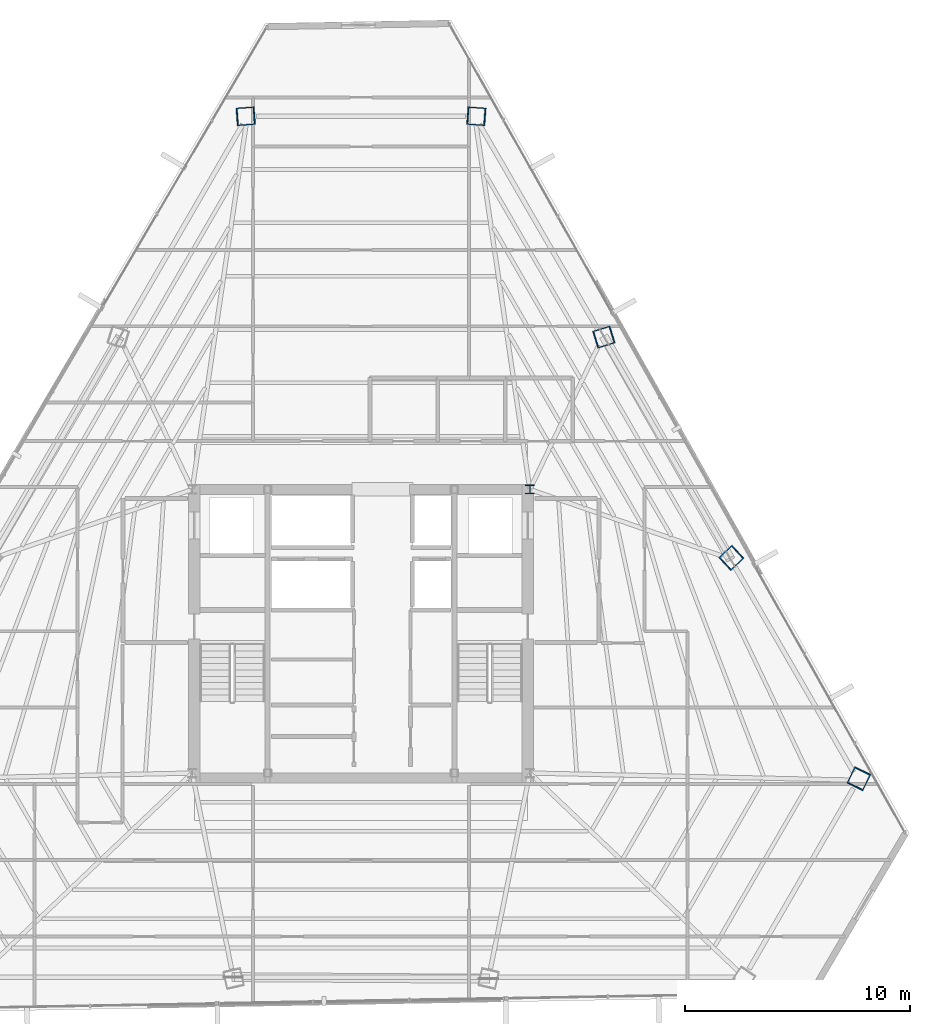
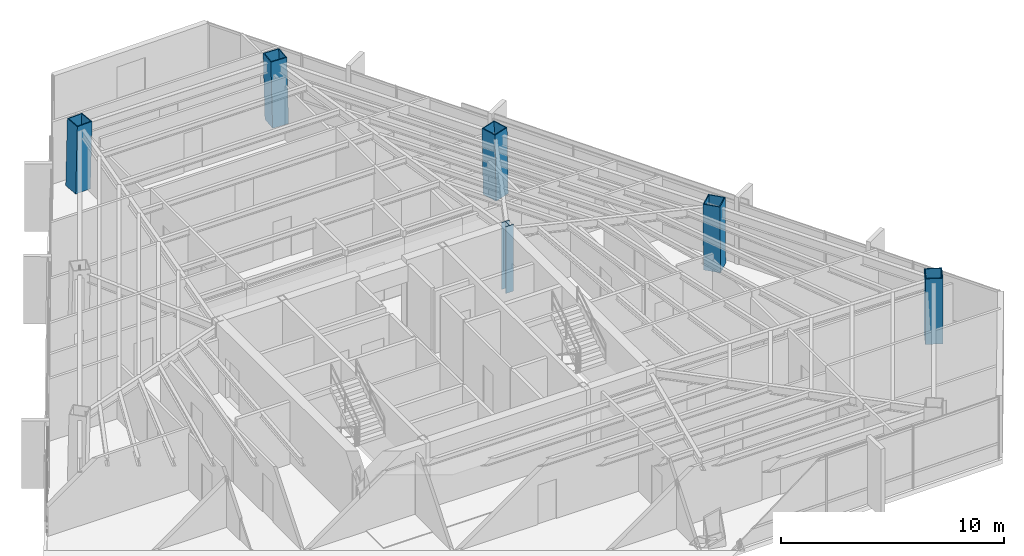
# One storey, part 2 of 42: 6 columns.
"""IFC4 building model written with IfcOpenShell, lengths in metres."""

from ifc_helpers import new_model, si_unit, direction, frame, origin, origin_2d, place, context, subcontext, project, spatial, hollow_rectangle, i_section, extrude, source, transform, mapped, material, material_profile, profile_set, type_object, type_shapes, element, save


model = new_model("IFC4")

# Units and contexts
model_context = context("Model", 3, precision=1e-05, world=origin(), true_north=direction((0.0, 1.0)))
body_context = subcontext(model_context, "Body", "Model", "MODEL_VIEW")
ifc_project = project(units=[si_unit("LENGTHUNIT", "METRE"), si_unit("AREAUNIT", "SQUARE_METRE"), si_unit("VOLUMEUNIT", "CUBIC_METRE"), si_unit("PLANEANGLEUNIT", "RADIAN"), si_unit("MASSUNIT", "GRAM", prefix="KILO")], contexts=[model_context])

# Site, building, storey
site_placement = place(None, origin())
site = spatial("IfcSite", under=ifc_project, at=site_placement, CompositionType="ELEMENT")
building_placement = place(site_placement, origin())
building = spatial("IfcBuilding", under=site, at=building_placement, Name="Caelisora Broadcast Tower", CompositionType="ELEMENT")
storey_placement = place(building_placement, frame((0.0, 0.0, 202.300048828125)))
storey = spatial("IfcBuildingStorey", under=building, at=storey_placement, Name="L53", CompositionType="ELEMENT", Elevation=202.300048828125)

# Columns
ifc_material_1 = material(Name="Steel Grade 350 (AS/NZS 3679.2)", Category="steel")
ifc_material_profile_1 = material_profile(ifc_material_1, i_section(OverallWidth=0.39990234375, OverallDepth=0.39990234375, WebThickness=0.02001953125, FlangeThickness=0.031982421875, at=origin_2d()), Name="Steel Grade 350 (AS/NZS 3679.2)")
ifc_profile_set_1 = profile_set([ifc_material_profile_1], Name="Steel Grade 350 (AS/NZS 3679.2)")
column_type_1 = type_object("IfcColumnType", Name="CC02", PredefinedType="COLUMN", material=ifc_profile_set_1)
shared_shape_1 = source(origin(), body_context, "Body", "SweptSolid", [
    extrude(i_section(OverallWidth=0.39990234375, OverallDepth=0.39990234375, WebThickness=0.02001953125, FlangeThickness=0.031982421875, at=origin_2d()), origin(), (0.0, 0.0, 1.0), 3.64990234375),
])
type_shapes(column_type_1, [shared_shape_1])
column_placement = place(storey_placement, frame((45.5, 30.0, 0.0), z_axis=(0.0, 0.0, 1.0), x_axis=(1.0, 0.0, 0.0)))
element("IfcColumn", 1, at=column_placement, inside=storey, type_object=column_type_1, Name="L53 column CC02", PredefinedType="COLUMN", context=body_context, shape_type="MappedRepresentation", body=[
    mapped(shared_shape_1, transform((0.0, 0.0, 0.0), scale=1.0)),
])
ifc_material_2 = material(Name="Steel Grade 350 L15 (AS/NZS 3678)", Category="steel")
ifc_material_profile_2 = material_profile(ifc_material_2, hollow_rectangle(XDim=0.800048828125, YDim=0.800048828125, WallThickness=0.044921875, at=origin_2d()), Name="Steel Grade 350 L15 (AS/NZS 3678)")
ifc_profile_set_2 = profile_set([ifc_material_profile_2], Name="Steel Grade 350 L15 (AS/NZS 3678)")
column_type_2 = type_object("IfcColumnType", Name="MC05", PredefinedType="COLUMN", material=ifc_profile_set_2)
shared_shape_2 = source(origin(), body_context, "Body", "SweptSolid", [
    extrude(hollow_rectangle(XDim=0.800048828125, YDim=0.800048828125, WallThickness=0.044921875, at=origin_2d()), origin(), (0.0, 0.0, 1.0), 3.65087890625),
])
for number, where, z_axis, x_axis, name in (
    (2, (43.13818359375, 46.57958984375, 0.0), (-0.023872756997, 0.001738632162, 0.999713493273), (-0.07263675076, -0.997358462359, 0.0), "L53 column MC05"),
    (3, (32.86181640625, 46.57958984375, 0.0), (0.023872756997, 0.001738632162, 0.999713493273), (-0.07263675076, 0.997358462359, 0.0), "L53 column MC05"),
    (4, (60.12353515625, 17.16015625, 0.0), (-0.010431795422, -0.021532295679, 0.999713727968), (0.899947055326, -0.435999194506, 0.0), "L53 column MC05"),
):
    element("IfcColumn", number, at=place(storey_placement, frame(where, z_axis=z_axis, x_axis=x_axis)), inside=storey, type_object=column_type_2, Name=name, PredefinedType="COLUMN", context=body_context, shape_type="MappedRepresentation", body=[
        mapped(shared_shape_2, transform((0.0, 0.0, 0.0), scale=1.0)),
    ])
shared_shape_3 = source(origin(), body_context, "Body", "SweptSolid", [
    extrude(hollow_rectangle(XDim=0.800048828125, YDim=0.800048828125, WallThickness=0.044921875, at=origin_2d()), origin(), (0.0, 0.0, 1.0), 3.650634765625),
])
type_shapes(column_type_2, [shared_shape_2, shared_shape_3])
for number, where, z_axis, x_axis, name in (
    (5, (54.4619140625, 26.966552734375, 0.0), (-0.014913313399, -0.013776424037, 0.999793880369), (0.678553674548, -0.734550822447, 0.0), "L53 column MC05"),
    (6, (48.800048828125, 36.77294921875, 0.0), (-0.019394001249, -0.005951952107, 0.999794202314), (0.293390827749, -0.9559925848, 0.0), "L53 column MC05"),
):
    element("IfcColumn", number, at=place(storey_placement, frame(where, z_axis=z_axis, x_axis=x_axis)), inside=storey, type_object=column_type_2, Name=name, PredefinedType="COLUMN", context=body_context, shape_type="MappedRepresentation", body=[
        mapped(shared_shape_3, transform((0.0, 0.0, 0.0), scale=1.0)),
    ])

save(model, "model.ifc")
